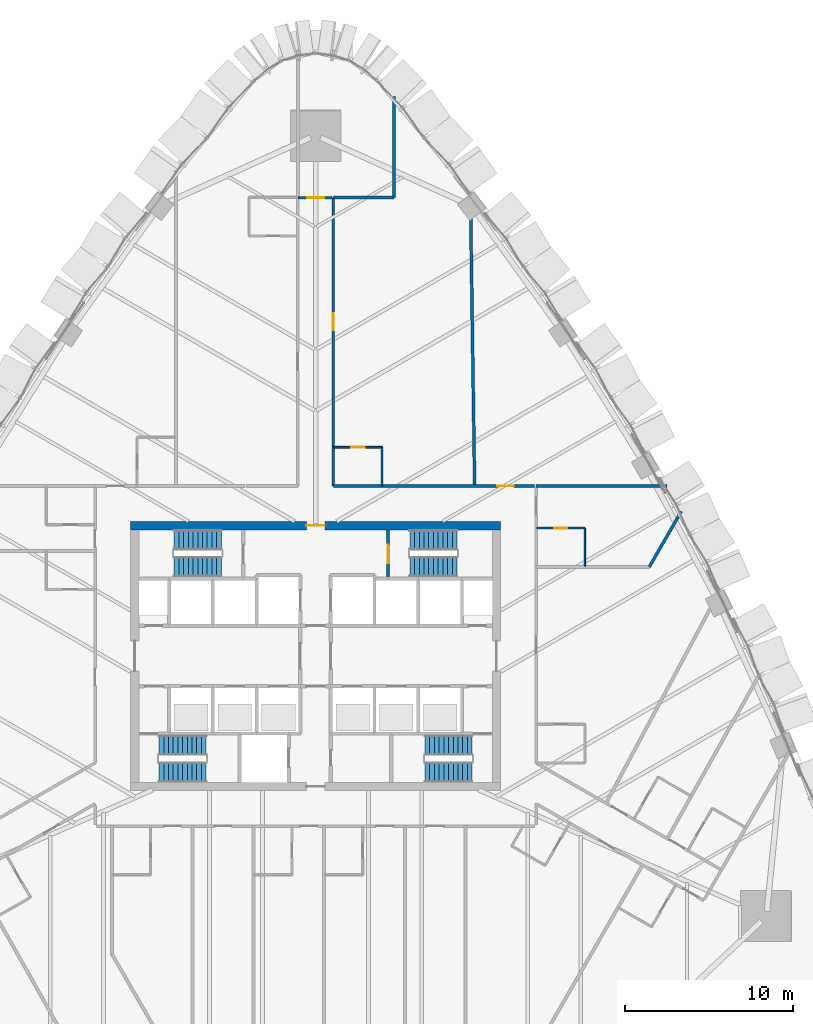
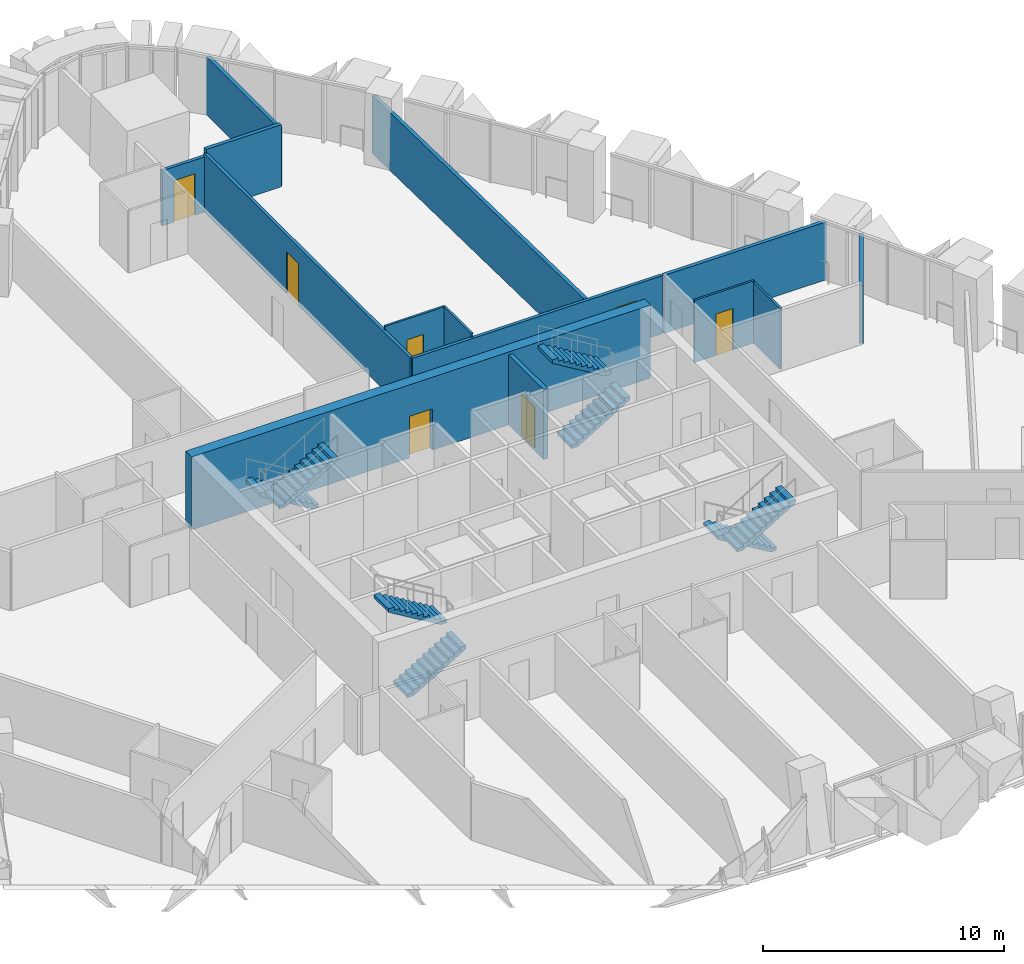
# One storey, part 17 of 22: 14 walls, 8 stair flights, 7 doors, 7 openings, 4 elements without a shape of their own.
"""IFC4 building model written with IfcOpenShell, lengths in metres."""

from ifc_helpers import new_model, si_unit, direction, frame, frame_2d, origin, place, context, subcontext, project, spatial, polyline, rectangle, outline, extrude, material, layer, layer_set, type_object, element, fill, aggregate, save


model = new_model("IFC4")

# Units and contexts
model_context = context("Model", 3, precision=1e-05, world=origin(), true_north=direction((0.0, 1.0)))
body_context = subcontext(model_context, "Body", "Model", "MODEL_VIEW")
ifc_project = project(units=[si_unit("LENGTHUNIT", "METRE"), si_unit("AREAUNIT", "SQUARE_METRE"), si_unit("VOLUMEUNIT", "CUBIC_METRE"), si_unit("PLANEANGLEUNIT", "RADIAN"), si_unit("MASSUNIT", "GRAM", prefix="KILO")], contexts=[model_context])

# Site, building, storey
site_placement = place(None, origin())
site = spatial("IfcSite", under=ifc_project, at=site_placement, CompositionType="ELEMENT")
building_placement = place(site_placement, origin())
building = spatial("IfcBuilding", under=site, at=building_placement, Name="Sierra Prisma Convention Tower", CompositionType="ELEMENT")
storey_placement = place(building_placement, frame((0.0, 0.0, 62.800048828125)))
storey = spatial("IfcBuildingStorey", under=building, at=storey_placement, Name="L11", CompositionType="ELEMENT", Elevation=62.800048828125)

# Wall, opening, door
ifc_material_1 = material(Name="Gypsum board partition", Category="gypsum")
ifc_layer_1 = layer(ifc_material_1, 0.10009765625)
ifc_layer_set_1 = layer_set([ifc_layer_1], Name="Bathroom partition 100")
wall_type_1 = type_object("IfcWallType", Name="Bathroom partition 100", PredefinedType="PARTITIONING", material=ifc_layer_set_1)
wall_1_placement = place(storey_placement, frame((1.080078125, 12.39990234375, 0.0), z_axis=(0.0, 0.0, 1.0), x_axis=(1.0, 0.0, 0.0)))
wall_1 = element("IfcWall", 1, at=wall_1_placement, inside=storey, type_object=wall_type_1, Name="Partition L11 bath 20", PredefinedType="PARTITIONING", context=body_context, shape_type="SweptSolid", body=[
    extrude(rectangle(XDim=2.869873046875, YDim=0.10009765625, at=frame_2d((1.43505859375, 0.0))), origin(), (0.0, 0.0, 1.0), 3.14990234375),
])
opening_1_placement = place(wall_1_placement, frame((1.034912109375, 0.0, 0.0)))
opening_1 = element("IfcOpeningElement", 2, at=opening_1_placement, cuts=wall_1, Name="Opening L11-D002", PredefinedType="OPENING", context=body_context, shape_type="SweptSolid", body=[
    extrude(rectangle(XDim=0.800048828125, YDim=2.10009765625, at=frame_2d((0.39990234375, 1.050048828125))), frame((0.0, 0.050048828125, 0.0), z_axis=(0.0, -1.0, 0.0), x_axis=(1.0, 0.0, 0.0)), (0.0, 0.0, 1.0), 0.10009765625),
])
ifc_material_2 = material(Name="Solid core timber door leaf", Category="wood")
door_type_1 = type_object("IfcDoorType", Name="Door 800x2100 plain", OperationType="SINGLE_SWING_LEFT", PredefinedType="DOOR", material=ifc_material_2)
door_1_placement = place(opening_1_placement, origin())
door_1 = element("IfcDoor", 3, at=door_1_placement, inside=storey, type_object=door_type_1, Name="Door L11 5", OperationType="SINGLE_SWING_LEFT", OverallHeight=2.10009765625, OverallWidth=0.800048828125, PredefinedType="DOOR", context=body_context, shape_type="SweptSolid", body=[
    extrude(rectangle(XDim=0.800048828125, YDim=2.10009765625, at=frame_2d((0.39990234375, 1.050048828125))), frame((0.0, 0.02490234375, 0.0), z_axis=(0.0, -1.0, 0.0), x_axis=(1.0, 0.0, 0.0)), (0.0, 0.0, 1.0), 0.050048828125),
])
fill(opening_1, door_1)

# Wall
wall_2_placement = place(storey_placement, frame((3.949951171875, 12.39990234375, 0.0), z_axis=(0.0, 0.0, 1.0), x_axis=(0.0, -1.0, 0.0)))
element("IfcWall", 4, at=wall_2_placement, inside=storey, type_object=wall_type_1, Name="Partition L11 bath 21", PredefinedType="PARTITIONING", context=body_context, shape_type="SweptSolid", body=[
    extrude(rectangle(XDim=2.27001953125, YDim=0.10009765625, at=frame_2d((1.135009765625, 0.0))), origin(), (0.0, 0.0, 1.0), 3.14990234375),
])

# Wall, opening, door
wall_3_placement = place(storey_placement, frame((13.1298828125, 7.60009765625, 0.0), z_axis=(0.0, 0.0, 1.0), x_axis=(1.0, 0.0, 0.0)))
wall_3 = element("IfcWall", 5, at=wall_3_placement, inside=storey, type_object=wall_type_1, Name="Partition L11 bath 28", PredefinedType="PARTITIONING", context=body_context, shape_type="SweptSolid", body=[
    extrude(rectangle(XDim=2.8701171875, YDim=0.10009765625, at=frame_2d((1.43505859375, 0.0))), origin(), (0.0, 0.0, 1.0), 3.14990234375),
])
opening_2_placement = place(wall_3_placement, frame((1.034912109375, 0.0, 0.0)))
opening_2 = element("IfcOpeningElement", 6, at=opening_2_placement, cuts=wall_3, Name="Opening L11-D001", PredefinedType="OPENING", context=body_context, shape_type="SweptSolid", body=[
    extrude(rectangle(XDim=0.800048828125, YDim=2.10009765625, at=frame_2d((0.39990234375, 1.050048828125))), frame((0.0, 0.050048828125, 0.0), z_axis=(0.0, -1.0, 0.0), x_axis=(1.0, 0.0, 0.0)), (0.0, 0.0, 1.0), 0.10009765625),
])
door_2_placement = place(opening_2_placement, origin())
door_2 = element("IfcDoor", 7, at=door_2_placement, inside=storey, type_object=door_type_1, Name="Door L11 2", OperationType="SINGLE_SWING_LEFT", OverallHeight=2.10009765625, OverallWidth=0.800048828125, PredefinedType="DOOR", context=body_context, shape_type="SweptSolid", body=[
    extrude(rectangle(XDim=0.800048828125, YDim=2.10009765625, at=frame_2d((0.39990234375, 1.050048828125))), frame((0.0, 0.02490234375, 0.0), z_axis=(0.0, -1.0, 0.0), x_axis=(1.0, 0.0, 0.0)), (0.0, 0.0, 1.0), 0.050048828125),
])
fill(opening_2, door_2)

# Wall
wall_4_placement = place(storey_placement, frame((16.0, 7.60009765625, 0.0), z_axis=(0.0, 0.0, 1.0), x_axis=(0.0, -1.0, 0.0)))
element("IfcWall", 8, at=wall_4_placement, inside=storey, type_object=wall_type_1, Name="Partition L11 bath 29", PredefinedType="PARTITIONING", context=body_context, shape_type="SweptSolid", body=[
    extrude(rectangle(XDim=2.27001953125, YDim=0.10009765625, at=frame_2d((1.135009765625, 0.0))), origin(), (0.0, 0.0, 1.0), 3.093017578125),
])

# Wall, opening, door
ifc_material_3 = material(Name="Concrete C30/37", Category="concrete")
ifc_layer_2 = layer(ifc_material_3, 0.199951171875)
ifc_layer_set_2 = layer_set([ifc_layer_2], Name="Core wall RC 200 C30/37")
wall_type_2 = type_object("IfcWallType", Name="Core wall RC 200 C30/37", PredefinedType="SOLIDWALL", material=ifc_layer_set_2)
wall_5_placement = place(storey_placement, frame((4.300048828125, 7.5, 0.0), z_axis=(0.0, 0.0, 1.0), x_axis=(0.0, -1.0, 0.0)))
wall_5 = element("IfcWall", 9, at=wall_5_placement, inside=storey, type_object=wall_type_2, Name="Core wall L11 51", PredefinedType="SOLIDWALL", context=body_context, shape_type="SweptSolid", body=[
    extrude(rectangle(XDim=2.89990234375, YDim=0.199951171875, at=frame_2d((1.449951171875, 0.0))), origin(), (0.0, 0.0, 1.0), 3.550048828125),
])
opening_3_placement = place(wall_5_placement, frame((0.89990234375, 0.0, 0.0)))
opening_3 = element("IfcOpeningElement", 10, at=opening_3_placement, cuts=wall_5, Name="Opening L11-D037", PredefinedType="OPENING", context=body_context, shape_type="SweptSolid", body=[
    extrude(rectangle(XDim=1.10009765625, YDim=2.10009765625, at=frame_2d((0.550048828125, 1.050048828125))), frame((0.0, 0.10009765625, 0.0), z_axis=(0.0, -1.0, 0.0), x_axis=(1.0, 0.0, 0.0)), (0.0, 0.0, 1.0), 0.199951171875),
])
ifc_material_4 = material(Name="Steel fire door leaf", Category="steel")
door_type_2 = type_object("IfcDoorType", Name="Door 1100x2100 FD90S", OperationType="SINGLE_SWING_LEFT", PredefinedType="DOOR", material=ifc_material_4)
door_3_placement = place(opening_3_placement, origin())
door_3 = element("IfcDoor", 11, at=door_3_placement, inside=storey, type_object=door_type_2, Name="Door L11 59", OperationType="SINGLE_SWING_LEFT", OverallHeight=2.10009765625, OverallWidth=1.10009765625, PredefinedType="DOOR", context=body_context, shape_type="SweptSolid", body=[
    extrude(rectangle(XDim=1.10009765625, YDim=2.10009765625, at=frame_2d((0.550048828125, 1.050048828125))), frame((0.0, 0.02490234375, 0.0), z_axis=(0.0, -1.0, 0.0), x_axis=(1.0, 0.0, 0.0)), (0.0, 0.0, 1.0), 0.050048828125),
])
fill(opening_3, door_3)

ifc_material_5 = material(Name="Concrete C60/75", Category="concrete")
ifc_layer_3 = layer(ifc_material_5, 0.5)
ifc_layer_set_3 = layer_set([ifc_layer_3], Name="Core wall RC 500 C60/75")
wall_type_3 = type_object("IfcWallType", Name="Core wall RC 500 C60/75", PredefinedType="SHEAR", material=ifc_layer_set_3)
wall_6_placement = place(storey_placement, frame((-11.0, 7.75, 0.0), z_axis=(0.0, 0.0, 1.0), x_axis=(1.0, 0.0, 0.0)))
wall_6 = element("IfcWall", 12, at=wall_6_placement, inside=storey, type_object=wall_type_3, Name="Core wall N L11", PredefinedType="SHEAR", context=body_context, shape_type="SweptSolid", body=[
    extrude(rectangle(XDim=22.0, YDim=0.5, at=frame_2d((11.0, 0.0))), origin(), (0.0, 0.0, 1.0), 3.699951171875),
])
opening_4_placement = place(wall_6_placement, frame((10.449951171875, 0.0, 0.0)))
opening_4 = element("IfcOpeningElement", 13, at=opening_4_placement, cuts=wall_6, Name="Opening L11-D062", PredefinedType="OPENING", context=body_context, shape_type="SweptSolid", body=[
    extrude(rectangle(XDim=1.10009765625, YDim=2.10009765625, at=frame_2d((0.550048828125, 1.050048828125))), frame((0.0, 0.25, 0.0), z_axis=(0.0, -1.0, 0.0), x_axis=(1.0, 0.0, 0.0)), (0.0, 0.0, 1.0), 0.5),
])
ifc_material_6 = material(Name="Steel fire door leaf", Category="steel")
door_type_3 = type_object("IfcDoorType", Name="Door 1100x2100 FD60S", OperationType="SINGLE_SWING_LEFT", PredefinedType="DOOR", material=ifc_material_6)
door_4_placement = place(opening_4_placement, origin())
door_4 = element("IfcDoor", 14, at=door_4_placement, inside=storey, type_object=door_type_3, Name="Door L11 63", OperationType="SINGLE_SWING_RIGHT", OverallHeight=2.10009765625, OverallWidth=1.10009765625, PredefinedType="DOOR", context=body_context, shape_type="SweptSolid", body=[
    extrude(rectangle(XDim=1.10009765625, YDim=2.10009765625, at=frame_2d((0.550048828125, 1.050048828125))), frame((0.0, 0.02490234375, 0.0), z_axis=(0.0, -1.0, 0.0), x_axis=(1.0, 0.0, 0.0)), (0.0, 0.0, 1.0), 0.050048828125),
])
fill(opening_4, door_4)

ifc_material_7 = material(Name="Gypsum board partition", Category="gypsum")
ifc_layer_4 = layer(ifc_material_7, 0.14990234375)
ifc_layer_set_4 = layer_set([ifc_layer_4], Name="Corridor wall 150 gypsum EI 60")
wall_type_4 = type_object("IfcWallType", Name="Corridor wall 150 gypsum EI 60", PredefinedType="PARTITIONING", material=ifc_layer_set_4)
wall_7_placement = place(storey_placement, frame((0.969970703125, 27.233154296875, 0.0), z_axis=(0.0, 0.0, 1.0), x_axis=(-1.0, 0.0, 0.0)))
wall_7 = element("IfcWall", 15, at=wall_7_placement, inside=storey, type_object=wall_type_4, Name="Partition L11 corr 8", PredefinedType="PARTITIONING", context=body_context, shape_type="SweptSolid", body=[
    extrude(rectangle(XDim=2.02001953125, YDim=0.14990234375, at=frame_2d((1.010009765625, 0.0))), origin(), (0.0, 0.0, 1.0), 2.796875),
])
opening_5_placement = place(wall_7_placement, frame((0.4599609375, 0.0, 0.0)))
opening_5 = element("IfcOpeningElement", 16, at=opening_5_placement, cuts=wall_7, Name="Opening L11-D042", PredefinedType="OPENING", context=body_context, shape_type="SweptSolid", body=[
    extrude(rectangle(XDim=1.0, YDim=2.10009765625, at=frame_2d((0.5, 1.050048828125))), frame((0.0, 0.074951171875, 0.0), z_axis=(0.0, -1.0, 0.0), x_axis=(1.0, 0.0, 0.0)), (0.0, 0.0, 1.0), 0.14990234375),
])
ifc_material_8 = material(Name="Steel fire door leaf", Category="steel")
door_type_4 = type_object("IfcDoorType", Name="Door 1000x2100 FD30S", OperationType="SINGLE_SWING_LEFT", PredefinedType="DOOR", material=ifc_material_8)
door_5_placement = place(opening_5_placement, origin())
door_5 = element("IfcDoor", 17, at=door_5_placement, inside=storey, type_object=door_type_4, Name="Door L11 6", OperationType="SINGLE_SWING_LEFT", OverallHeight=2.10009765625, OverallWidth=1.0, PredefinedType="DOOR", context=body_context, shape_type="SweptSolid", body=[
    extrude(rectangle(XDim=1.0, YDim=2.10009765625, at=frame_2d((0.5, 1.050048828125))), frame((0.0, 0.02490234375, 0.0), z_axis=(0.0, -1.0, 0.0), x_axis=(1.0, 0.0, 0.0)), (0.0, 0.0, 1.0), 0.050048828125),
])
fill(opening_5, door_5)

wall_8_placement = place(storey_placement, frame((13.02001953125, 10.10009765625, 0.0), z_axis=(0.0, 0.0, 1.0), x_axis=(-1.0, 0.0, 0.0)))
wall_8 = element("IfcWall", 18, at=wall_8_placement, inside=storey, type_object=wall_type_4, Name="Partition L11 corr 11", PredefinedType="PARTITIONING", context=body_context, shape_type="SweptSolid", body=[
    extrude(rectangle(XDim=11.969970703125, YDim=0.14990234375, at=frame_2d((5.98486328125, 0.0))), origin(), (0.0, 0.0, 1.0), 2.947021484375),
])
opening_6_placement = place(wall_8_placement, frame((1.235107421875, 0.0, 0.0)))
opening_6 = element("IfcOpeningElement", 19, at=opening_6_placement, cuts=wall_8, Name="Opening L11-D040", PredefinedType="OPENING", context=body_context, shape_type="SweptSolid", body=[
    extrude(rectangle(XDim=1.0, YDim=2.10009765625, at=frame_2d((0.5, 1.050048828125))), frame((0.0, 0.074951171875, 0.0), z_axis=(0.0, -1.0, 0.0), x_axis=(1.0, 0.0, 0.0)), (0.0, 0.0, 1.0), 0.14990234375),
])
door_6_placement = place(opening_6_placement, origin())
door_6 = element("IfcDoor", 20, at=door_6_placement, inside=storey, type_object=door_type_4, Name="Door L11 3", OperationType="SINGLE_SWING_RIGHT", OverallHeight=2.10009765625, OverallWidth=1.0, PredefinedType="DOOR", context=body_context, shape_type="SweptSolid", body=[
    extrude(rectangle(XDim=1.0, YDim=2.10009765625, at=frame_2d((0.5, 1.050048828125))), frame((0.0, 0.02490234375, 0.0), z_axis=(0.0, -1.0, 0.0), x_axis=(1.0, 0.0, 0.0)), (0.0, 0.0, 1.0), 0.050048828125),
])
fill(opening_6, door_6)

wall_9_placement = place(storey_placement, frame((1.050048828125, 10.10009765625, 0.0), z_axis=(0.0, 0.0, 1.0), x_axis=(0.0, 1.0, 0.0)))
wall_9 = element("IfcWall", 21, at=wall_9_placement, inside=storey, type_object=wall_type_4, Name="Partition L11 corr 12", PredefinedType="PARTITIONING", context=body_context, shape_type="SweptSolid", body=[
    extrude(rectangle(XDim=17.133056640625, YDim=0.14990234375, at=frame_2d((8.56640625, 0.0))), origin(), (0.0, 0.0, 1.0), 2.947021484375),
])
opening_7_placement = place(wall_9_placement, frame((9.2666015625, 0.0, 0.0)))
opening_7 = element("IfcOpeningElement", 22, at=opening_7_placement, cuts=wall_9, Name="Opening L11-D041", PredefinedType="OPENING", context=body_context, shape_type="SweptSolid", body=[
    extrude(rectangle(XDim=1.0, YDim=2.10009765625, at=frame_2d((0.5, 1.050048828125))), frame((0.0, 0.074951171875, 0.0), z_axis=(0.0, -1.0, 0.0), x_axis=(1.0, 0.0, 0.0)), (0.0, 0.0, 1.0), 0.14990234375),
])
door_7_placement = place(opening_7_placement, origin())
door_7 = element("IfcDoor", 23, at=door_7_placement, inside=storey, type_object=door_type_4, Name="Door L11 4", OperationType="SINGLE_SWING_RIGHT", OverallHeight=2.10009765625, OverallWidth=1.0, PredefinedType="DOOR", context=body_context, shape_type="SweptSolid", body=[
    extrude(rectangle(XDim=1.0, YDim=2.10009765625, at=frame_2d((0.5, 1.050048828125))), frame((0.0, 0.02490234375, 0.0), z_axis=(0.0, -1.0, 0.0), x_axis=(1.0, 0.0, 0.0)), (0.0, 0.0, 1.0), 0.050048828125),
])
fill(opening_7, door_7)

# Walls
ifc_material_9 = material(Name="Acoustic gypsum board partition", Category="gypsum")
ifc_layer_5 = layer(ifc_material_9, 0.175048828125)
ifc_layer_set_5 = layer_set([ifc_layer_5], Name="Guest room party wall 175 acoustic EI 60")
wall_type_5 = type_object("IfcWallType", Name="Guest room party wall 175 acoustic EI 60", PredefinedType="PARTITIONING", material=ifc_layer_set_5)
wall_10_placement = place(storey_placement, frame((1.050048828125, 27.233154296875, 0.0), z_axis=(0.0, 0.0, 1.0), x_axis=(1.0, 0.0, 0.0)))
element("IfcWall", 24, at=wall_10_placement, inside=storey, type_object=wall_type_5, Name="Partition L11 hparty 15", PredefinedType="PARTITIONING", context=body_context, shape_type="SweptSolid", body=[
    extrude(rectangle(XDim=3.599853515625, YDim=0.175048828125, at=frame_2d((1.7998046875, 0.0))), origin(), (0.0, 0.0, 1.0), 3.14990234375),
])
wall_11_placement = place(storey_placement, frame((4.64990234375, 27.233154296875, 0.0), z_axis=(0.0, 0.0, 1.0), x_axis=(0.0, 1.0, 0.0)))
element("IfcWall", 25, at=wall_11_placement, inside=storey, type_object=wall_type_5, Name="Partition L11 hparty 16", PredefinedType="PARTITIONING", context=body_context, shape_type="SweptSolid", body=[
    extrude(rectangle(XDim=6.005126953125, YDim=0.175048828125, at=frame_2d((3.00244140625, 0.0))), origin(), (0.0, 0.0, 1.0), 2.933837890625),
])
wall_12_placement = place(storey_placement, frame((9.199951171875, 27.344482421875, 0.0), z_axis=(0.0, 0.0, 1.0), x_axis=(0.014495949577, -0.999894928203, 0.0)))
element("IfcWall", 26, at=wall_12_placement, inside=storey, type_object=wall_type_5, Name="Partition L11 hparty 19", PredefinedType="PARTITIONING", context=body_context, shape_type="SweptSolid", body=[
    extrude(rectangle(XDim=17.24609375, YDim=0.175048828125, at=frame_2d((8.623046875, 0.0))), origin(), (0.0, 0.0, 1.0), 2.947021484375),
])
wall_13_placement = place(storey_placement, frame((21.7255859375, 8.5888671875, 0.0), z_axis=(0.0, 0.0, 1.0), x_axis=(-0.500024807712, -0.866011080572, 0.0)))
element("IfcWall", 27, at=wall_13_placement, inside=storey, type_object=wall_type_5, Name="Partition L11 hparty 22", PredefinedType="PARTITIONING", context=body_context, shape_type="SweptSolid", body=[
    extrude(rectangle(XDim=3.797607421875, YDim=0.175048828125, at=frame_2d((1.89892578125, 0.0))), origin(), (0.0, 0.0, 1.0), 2.933837890625),
])
wall_14_placement = place(storey_placement, frame((13.10009765625, 10.10009765625, 0.0), z_axis=(0.0, 0.0, 1.0), x_axis=(1.0, 0.0, 0.0)))
element("IfcWall", 28, at=wall_14_placement, inside=storey, type_object=wall_type_5, Name="Partition L11 hparty 24", PredefinedType="PARTITIONING", context=body_context, shape_type="SweptSolid", body=[
    extrude(rectangle(XDim=7.78759765625, YDim=0.175048828125, at=frame_2d((3.893798828125, 0.0))), origin(), (0.0, 0.0, 1.0), 2.933837890625),
])

# Stair, stair flights
ifc_material_10 = material(Name="Concrete C30/37", Category="concrete")
stair_type = type_object("IfcStairType", Name="Stair dog-leg 1200 RC", PredefinedType="HALF_TURN_STAIR", material=ifc_material_10)
stair_1_placement = place(storey_placement, origin())
stair_1 = element("IfcStair", 29, at=stair_1_placement, inside=storey, type_object=stair_type, Name="L11 S1", PredefinedType="HALF_TURN_STAIR")
ifc_material_11 = material(Name="Concrete C30/37", Category="concrete")
stair_flight_type = type_object("IfcStairFlightType", Name="Stair flight RC 1200", PredefinedType="STRAIGHT", material=ifc_material_11)
stair_flight_1_placement = place(storey_placement, frame((-9.300048828125, -6.89990234375, 0.0), z_axis=(0.0, 0.0, 1.0), x_axis=(1.0, 0.0, 0.0)))
stair_flight_1 = element("IfcStairFlight", 30, at=stair_flight_1_placement, type_object=stair_flight_type, Name="S1 flight 1", NumberOfRisers=11, NumberOfTreads=10, PredefinedType="STRAIGHT", RiserHeight=0.168181818, TreadLength=0.28, context=body_context, shape_type="SweptSolid", body=[
    extrude(outline(polyline([(0.0, 0.0), (0.0, 0.168212890625), (0.280029296875, 0.168212890625), (0.280029296875, 0.33642578125), (0.56005859375, 0.33642578125), (0.56005859375, 0.504638671875), (0.840087890625, 0.504638671875), (0.840087890625, 0.672607421875), (1.1201171875, 0.672607421875), (1.1201171875, 0.8408203125), (1.39990234375, 0.8408203125), (1.39990234375, 1.009033203125), (1.679931640625, 1.009033203125), (1.679931640625, 1.17724609375), (1.9599609375, 1.17724609375), (1.9599609375, 1.345458984375), (2.239990234375, 1.345458984375), (2.239990234375, 1.513671875), (2.52001953125, 1.513671875), (2.52001953125, 1.681884765625), (2.800048828125, 1.681884765625), (2.800048828125, 1.85009765625), (2.800048828125, 1.5068359375), (0.291015625, 0.0), (0.0, 0.0)])), frame((0.0, 0.60009765625, 0.0), z_axis=(0.0, -1.0, 0.0), x_axis=(1.0, 0.0, 0.0)), (0.0, 0.0, 1.0), 1.199951171875),
])
stair_flight_2_placement = place(storey_placement, frame((-6.5, -5.300048828125, 1.849853515625), z_axis=(0.0, 0.0, 1.0), x_axis=(-1.0, 0.0, 0.0)))
stair_flight_2 = element("IfcStairFlight", 31, at=stair_flight_2_placement, type_object=stair_flight_type, Name="S1 flight 2", NumberOfRisers=11, NumberOfTreads=10, PredefinedType="STRAIGHT", RiserHeight=0.168181818, TreadLength=0.28, context=body_context, shape_type="SweptSolid", body=[
    extrude(outline(polyline([(0.0, 0.0), (0.0, 0.168212890625), (0.280029296875, 0.168212890625), (0.280029296875, 0.33642578125), (0.56005859375, 0.33642578125), (0.56005859375, 0.504638671875), (0.840087890625, 0.504638671875), (0.840087890625, 0.672607421875), (1.1201171875, 0.672607421875), (1.1201171875, 0.8408203125), (1.39990234375, 0.8408203125), (1.39990234375, 1.009033203125), (1.679931640625, 1.009033203125), (1.679931640625, 1.17724609375), (1.9599609375, 1.17724609375), (1.9599609375, 1.345458984375), (2.239990234375, 1.345458984375), (2.239990234375, 1.513671875), (2.52001953125, 1.513671875), (2.52001953125, 1.681884765625), (2.800048828125, 1.681884765625), (2.800048828125, 1.85009765625), (2.800048828125, 1.5068359375), (0.291015625, 0.0), (0.0, 0.0)])), frame((0.0, 0.60009765625, 0.0), z_axis=(0.0, -1.0, 0.0), x_axis=(1.0, 0.0, 0.0)), (0.0, 0.0, 1.0), 1.199951171875),
])
aggregate(stair_1, [stair_flight_1, stair_flight_2])

stair_2_placement = place(storey_placement, origin())
stair_2 = element("IfcStair", 32, at=stair_2_placement, inside=storey, type_object=stair_type, Name="L11 S2", PredefinedType="HALF_TURN_STAIR")
stair_flight_3_placement = place(storey_placement, frame((9.300048828125, -5.300048828125, 0.0), z_axis=(0.0, 0.0, 1.0), x_axis=(-1.0, 0.0, 0.0)))
stair_flight_3 = element("IfcStairFlight", 33, at=stair_flight_3_placement, type_object=stair_flight_type, Name="S2 flight 1", NumberOfRisers=11, NumberOfTreads=10, PredefinedType="STRAIGHT", RiserHeight=0.168181818, TreadLength=0.28, context=body_context, shape_type="SweptSolid", body=[
    extrude(outline(polyline([(0.0, 0.0), (0.0, 0.168212890625), (0.280029296875, 0.168212890625), (0.280029296875, 0.33642578125), (0.56005859375, 0.33642578125), (0.56005859375, 0.504638671875), (0.840087890625, 0.504638671875), (0.840087890625, 0.672607421875), (1.1201171875, 0.672607421875), (1.1201171875, 0.8408203125), (1.39990234375, 0.8408203125), (1.39990234375, 1.009033203125), (1.679931640625, 1.009033203125), (1.679931640625, 1.17724609375), (1.9599609375, 1.17724609375), (1.9599609375, 1.345458984375), (2.239990234375, 1.345458984375), (2.239990234375, 1.513671875), (2.52001953125, 1.513671875), (2.52001953125, 1.681884765625), (2.800048828125, 1.681884765625), (2.800048828125, 1.85009765625), (2.800048828125, 1.5068359375), (0.291015625, 0.0), (0.0, 0.0)])), frame((0.0, 0.60009765625, 0.0), z_axis=(0.0, -1.0, 0.0), x_axis=(1.0, 0.0, 0.0)), (0.0, 0.0, 1.0), 1.199951171875),
])
stair_flight_4_placement = place(storey_placement, frame((6.5, -6.89990234375, 1.849853515625), z_axis=(0.0, 0.0, 1.0), x_axis=(1.0, 0.0, 0.0)))
stair_flight_4 = element("IfcStairFlight", 34, at=stair_flight_4_placement, type_object=stair_flight_type, Name="S2 flight 2", NumberOfRisers=11, NumberOfTreads=10, PredefinedType="STRAIGHT", RiserHeight=0.168181818, TreadLength=0.28, context=body_context, shape_type="SweptSolid", body=[
    extrude(outline(polyline([(0.0, 0.0), (0.0, 0.168212890625), (0.280029296875, 0.168212890625), (0.280029296875, 0.33642578125), (0.56005859375, 0.33642578125), (0.56005859375, 0.504638671875), (0.840087890625, 0.504638671875), (0.840087890625, 0.672607421875), (1.1201171875, 0.672607421875), (1.1201171875, 0.8408203125), (1.39990234375, 0.8408203125), (1.39990234375, 1.009033203125), (1.679931640625, 1.009033203125), (1.679931640625, 1.17724609375), (1.9599609375, 1.17724609375), (1.9599609375, 1.345458984375), (2.239990234375, 1.345458984375), (2.239990234375, 1.513671875), (2.52001953125, 1.513671875), (2.52001953125, 1.681884765625), (2.800048828125, 1.681884765625), (2.800048828125, 1.85009765625), (2.800048828125, 1.5068359375), (0.291015625, 0.0), (0.0, 0.0)])), frame((0.0, 0.60009765625, 0.0), z_axis=(0.0, -1.0, 0.0), x_axis=(1.0, 0.0, 0.0)), (0.0, 0.0, 1.0), 1.199951171875),
])
aggregate(stair_2, [stair_flight_3, stair_flight_4])

stair_3_placement = place(storey_placement, origin())
stair_3 = element("IfcStair", 35, at=stair_3_placement, inside=storey, type_object=stair_type, Name="L11 S3", PredefinedType="HALF_TURN_STAIR")
stair_flight_5_placement = place(storey_placement, frame((-5.60009765625, 6.89990234375, 0.0), z_axis=(0.0, 0.0, 1.0), x_axis=(-1.0, 0.0, 0.0)))
stair_flight_5 = element("IfcStairFlight", 36, at=stair_flight_5_placement, type_object=stair_flight_type, Name="S3 flight 1", NumberOfRisers=11, NumberOfTreads=10, PredefinedType="STRAIGHT", RiserHeight=0.168181818, TreadLength=0.28, context=body_context, shape_type="SweptSolid", body=[
    extrude(outline(polyline([(0.0, 0.0), (0.0, 0.168212890625), (0.280029296875, 0.168212890625), (0.280029296875, 0.33642578125), (0.56005859375, 0.33642578125), (0.56005859375, 0.504638671875), (0.840087890625, 0.504638671875), (0.840087890625, 0.672607421875), (1.1201171875, 0.672607421875), (1.1201171875, 0.8408203125), (1.39990234375, 0.8408203125), (1.39990234375, 1.009033203125), (1.679931640625, 1.009033203125), (1.679931640625, 1.17724609375), (1.9599609375, 1.17724609375), (1.9599609375, 1.345458984375), (2.239990234375, 1.345458984375), (2.239990234375, 1.513671875), (2.52001953125, 1.513671875), (2.52001953125, 1.681884765625), (2.800048828125, 1.681884765625), (2.800048828125, 1.85009765625), (2.800048828125, 1.5068359375), (0.291015625, 0.0), (0.0, 0.0)])), frame((0.0, 0.60009765625, 0.0), z_axis=(0.0, -1.0, 0.0), x_axis=(1.0, 0.0, 0.0)), (0.0, 0.0, 1.0), 1.199951171875),
])
stair_flight_6_placement = place(storey_placement, frame((-8.39990234375, 5.300048828125, 1.849853515625), z_axis=(0.0, 0.0, 1.0), x_axis=(1.0, 0.0, 0.0)))
stair_flight_6 = element("IfcStairFlight", 37, at=stair_flight_6_placement, type_object=stair_flight_type, Name="S3 flight 2", NumberOfRisers=11, NumberOfTreads=10, PredefinedType="STRAIGHT", RiserHeight=0.168181818, TreadLength=0.28, context=body_context, shape_type="SweptSolid", body=[
    extrude(outline(polyline([(0.0, 0.0), (0.0, 0.168212890625), (0.280029296875, 0.168212890625), (0.280029296875, 0.33642578125), (0.56005859375, 0.33642578125), (0.56005859375, 0.504638671875), (0.840087890625, 0.504638671875), (0.840087890625, 0.672607421875), (1.1201171875, 0.672607421875), (1.1201171875, 0.8408203125), (1.39990234375, 0.8408203125), (1.39990234375, 1.009033203125), (1.679931640625, 1.009033203125), (1.679931640625, 1.17724609375), (1.9599609375, 1.17724609375), (1.9599609375, 1.345458984375), (2.239990234375, 1.345458984375), (2.239990234375, 1.513671875), (2.52001953125, 1.513671875), (2.52001953125, 1.681884765625), (2.800048828125, 1.681884765625), (2.800048828125, 1.85009765625), (2.800048828125, 1.5068359375), (0.291015625, 0.0), (0.0, 0.0)])), frame((0.0, 0.60009765625, 0.0), z_axis=(0.0, -1.0, 0.0), x_axis=(1.0, 0.0, 0.0)), (0.0, 0.0, 1.0), 1.199951171875),
])
aggregate(stair_3, [stair_flight_5, stair_flight_6])

stair_4_placement = place(storey_placement, origin())
stair_4 = element("IfcStair", 38, at=stair_4_placement, inside=storey, type_object=stair_type, Name="L11 S4", PredefinedType="HALF_TURN_STAIR")
stair_flight_7_placement = place(storey_placement, frame((5.60009765625, 5.300048828125, 0.0), z_axis=(0.0, 0.0, 1.0), x_axis=(1.0, 0.0, 0.0)))
stair_flight_7 = element("IfcStairFlight", 39, at=stair_flight_7_placement, type_object=stair_flight_type, Name="S4 flight 1", NumberOfRisers=11, NumberOfTreads=10, PredefinedType="STRAIGHT", RiserHeight=0.168181818, TreadLength=0.28, context=body_context, shape_type="SweptSolid", body=[
    extrude(outline(polyline([(0.0, 0.0), (0.0, 0.168212890625), (0.280029296875, 0.168212890625), (0.280029296875, 0.33642578125), (0.56005859375, 0.33642578125), (0.56005859375, 0.504638671875), (0.840087890625, 0.504638671875), (0.840087890625, 0.672607421875), (1.1201171875, 0.672607421875), (1.1201171875, 0.8408203125), (1.39990234375, 0.8408203125), (1.39990234375, 1.009033203125), (1.679931640625, 1.009033203125), (1.679931640625, 1.17724609375), (1.9599609375, 1.17724609375), (1.9599609375, 1.345458984375), (2.239990234375, 1.345458984375), (2.239990234375, 1.513671875), (2.52001953125, 1.513671875), (2.52001953125, 1.681884765625), (2.800048828125, 1.681884765625), (2.800048828125, 1.85009765625), (2.800048828125, 1.5068359375), (0.291015625, 0.0), (0.0, 0.0)])), frame((0.0, 0.60009765625, 0.0), z_axis=(0.0, -1.0, 0.0), x_axis=(1.0, 0.0, 0.0)), (0.0, 0.0, 1.0), 1.199951171875),
])
stair_flight_8_placement = place(storey_placement, frame((8.39990234375, 6.89990234375, 1.849853515625), z_axis=(0.0, 0.0, 1.0), x_axis=(-1.0, 0.0, 0.0)))
stair_flight_8 = element("IfcStairFlight", 40, at=stair_flight_8_placement, type_object=stair_flight_type, Name="S4 flight 2", NumberOfRisers=11, NumberOfTreads=10, PredefinedType="STRAIGHT", RiserHeight=0.168181818, TreadLength=0.28, context=body_context, shape_type="SweptSolid", body=[
    extrude(outline(polyline([(0.0, 0.0), (0.0, 0.168212890625), (0.280029296875, 0.168212890625), (0.280029296875, 0.33642578125), (0.56005859375, 0.33642578125), (0.56005859375, 0.504638671875), (0.840087890625, 0.504638671875), (0.840087890625, 0.672607421875), (1.1201171875, 0.672607421875), (1.1201171875, 0.8408203125), (1.39990234375, 0.8408203125), (1.39990234375, 1.009033203125), (1.679931640625, 1.009033203125), (1.679931640625, 1.17724609375), (1.9599609375, 1.17724609375), (1.9599609375, 1.345458984375), (2.239990234375, 1.345458984375), (2.239990234375, 1.513671875), (2.52001953125, 1.513671875), (2.52001953125, 1.681884765625), (2.800048828125, 1.681884765625), (2.800048828125, 1.85009765625), (2.800048828125, 1.5068359375), (0.291015625, 0.0), (0.0, 0.0)])), frame((0.0, 0.60009765625, 0.0), z_axis=(0.0, -1.0, 0.0), x_axis=(1.0, 0.0, 0.0)), (0.0, 0.0, 1.0), 1.199951171875),
])
aggregate(stair_4, [stair_flight_7, stair_flight_8])

save(model, "model.ifc")
